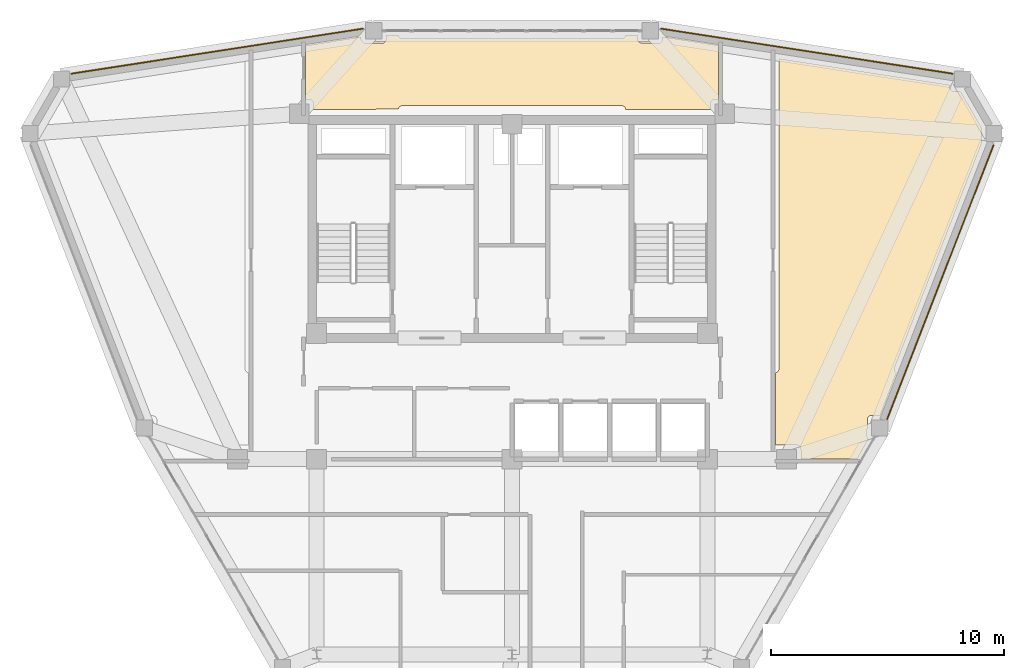
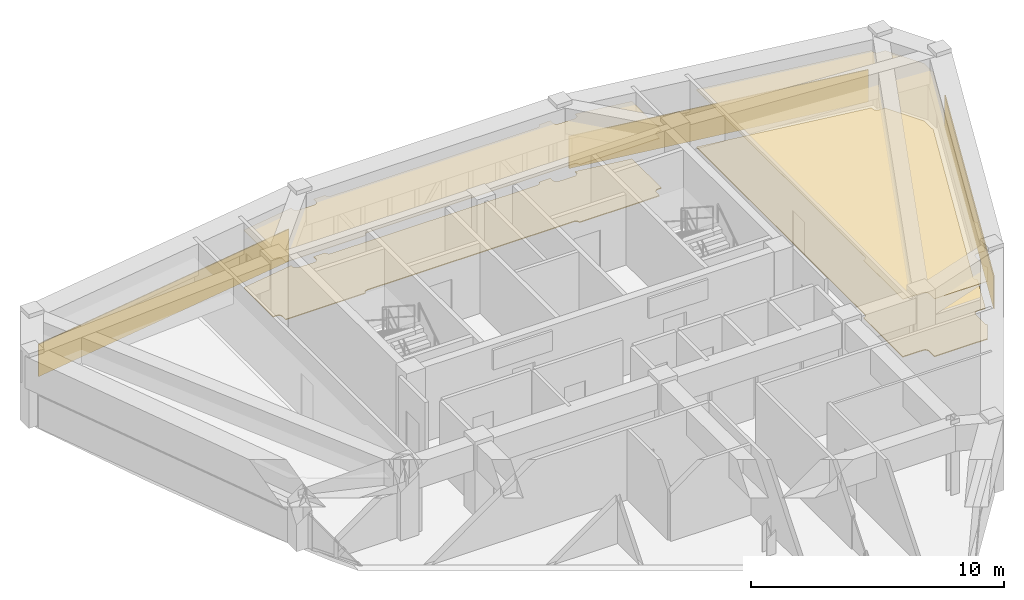
# One storey, part 14 of 14: 7 coverings.
"""IFC4 building model written with IfcOpenShell, lengths in metres."""

import ifcopenshell
import ifcopenshell.guid

model = None  # the IFC model being written
_history = None  # IfcOwnerHistory: only IFC2X3 demands one
_inside = {}  # id of a spatial element -> (the spatial element, [elements in it])
_under = {}  # id of a project, library or spatial element -> (it, [spatial elements below it])
_declared = {}  # id of a project -> (the project, [libraries it declares])
_typed = {}  # id of a type object -> (the type object, [elements of that type])
_made_of = {}  # id of a material, layer set ... -> (it, [elements and type objects made of it])


def new_model(schema):
    """Start an empty IFC model of exactly this schema.

    Asked for "IFC4X3", IfcOpenShell would pick the latest addendum, in which some entities
    have other attributes; the version numbers below select the first issue.
    IFC2X3 requires an IfcOwnerHistory on every rooted entity: one is made here for all.
    """
    global model, _history
    if schema == "IFC4X3":
        model = ifcopenshell.file(schema_version=(4, 3, 0, 0))
    else:
        model = ifcopenshell.file(schema=schema)
    _inside.clear()
    _under.clear()
    _declared.clear()
    _typed.clear()
    _made_of.clear()
    _history = None
    if model.schema == "IFC2X3":
        org = make("IfcOrganization", Name="unknown")
        user = make(
            "IfcPersonAndOrganization",
            ThePerson=make("IfcPerson", FamilyName="unknown"),
            TheOrganization=org,
        )
        app = make(
            "IfcApplication",
            ApplicationDeveloper=org,
            Version="unknown",
            ApplicationFullName="unknown",
            ApplicationIdentifier="unknown",
        )
        _history = make(
            "IfcOwnerHistory",
            OwningUser=user,
            OwningApplication=app,
            ChangeAction="ADDED",
            CreationDate=0,
        )
    return model


def make(cls, **values):
    """One entity of the class cls with the attributes given. An attribute that is None is left unset."""
    return model.create_entity(
        cls, **{name: value for name, value in values.items() if value is not None}
    )


def rooted(cls, **values):
    """An entity with a GlobalId (a new one), such as an element, a storey or a relation."""
    return make(cls, GlobalId=ifcopenshell.guid.new(), OwnerHistory=_history, **values)


def si_unit(unit_type, name, prefix=None):
    """IfcSIUnit, for example si_unit("LENGTHUNIT", "METRE", prefix="MILLI")."""
    return make("IfcSIUnit", UnitType=unit_type, Prefix=prefix, Name=name)


def derived_unit(unit_type, elements):
    """IfcDerivedUnit: a product of units, each with its exponent."""
    return make(
        "IfcDerivedUnit",
        Elements=[
            make("IfcDerivedUnitElement", Unit=unit, Exponent=power)
            for unit, power in elements
        ],
        UnitType=unit_type,
    )


def assignment(units):
    """IfcUnitAssignment: the units of a project."""
    return None if units is None else make("IfcUnitAssignment", Units=units)


def point(xyz):
    """IfcCartesianPoint."""
    return None if xyz is None else make("IfcCartesianPoint", Coordinates=xyz)


def direction(xyz):
    """IfcDirection."""
    return None if xyz is None else make("IfcDirection", DirectionRatios=xyz)


def frame(location, z_axis=None, x_axis=None):
    """IfcAxis2Placement3D, a coordinate frame: its origin and axes. An axis left out is left unset."""
    return make(
        "IfcAxis2Placement3D",
        Location=point(location),
        Axis=direction(z_axis),
        RefDirection=direction(x_axis),
    )


def origin():
    """The frame at (0, 0, 0) with its axes left unset."""
    return frame((0.0, 0.0, 0.0))


def place(relative_to, where):
    """IfcLocalPlacement: puts the frame where relative to a parent placement (None: the world)."""
    return make(
        "IfcLocalPlacement", PlacementRelTo=relative_to, RelativePlacement=where
    )


def context(
    kind, dimensions, precision=None, world=None, true_north=None, identifier=None
):
    """IfcGeometricRepresentationContext, for example the 3D "Model" context."""
    return make(
        "IfcGeometricRepresentationContext",
        ContextIdentifier=identifier,
        ContextType=kind,
        CoordinateSpaceDimension=dimensions,
        Precision=precision,
        WorldCoordinateSystem=world,
        TrueNorth=true_north,
    )


def subcontext(parent, identifier, kind, view, scale=None):
    """IfcGeometricRepresentationSubContext, for example "Body" below "Model"."""
    return make(
        "IfcGeometricRepresentationSubContext",
        ContextIdentifier=identifier,
        ContextType=kind,
        ParentContext=parent,
        TargetScale=scale,
        TargetView=view,
    )


def project(units=None, contexts=None):
    """IfcProject with its units and contexts."""
    return rooted(
        "IfcProject",
        Name="project",
        RepresentationContexts=contexts,
        UnitsInContext=assignment(units),
    )


def spatial(cls, under=None, at=None, **own):
    """A site, building, storey or space (cls), placed at a placement, below another one or the project."""
    s = rooted(cls, ObjectPlacement=at, **own)
    if under is not None:
        _under.setdefault(under.id(), (under, []))[1].append(s)
    return s


def polyline(points):
    """IfcPolyline through the points."""
    return make("IfcPolyline", Points=[point(p) for p in points])


def outline(outer, holes=None, kind="AREA"):
    """IfcArbitraryClosedProfileDef: a profile drawn as a closed curve; with holes, ...WithVoids."""
    if holes is None:
        return make("IfcArbitraryClosedProfileDef", ProfileType=kind, OuterCurve=outer)
    return make(
        "IfcArbitraryProfileDefWithVoids",
        ProfileType=kind,
        OuterCurve=outer,
        InnerCurves=holes,
    )


def extrude(swept, where, along, depth):
    """IfcExtrudedAreaSolid: the profile swept, set in the frame where, extruded along a direction by depth."""
    return make(
        "IfcExtrudedAreaSolid",
        SweptArea=swept,
        Position=where,
        ExtrudedDirection=direction(along),
        Depth=depth,
    )


def shape(context_of_items, identifier, shape_type, items):
    """IfcShapeRepresentation: the items that make up one representation, for example the "Body"."""
    return make(
        "IfcShapeRepresentation",
        ContextOfItems=context_of_items,
        RepresentationIdentifier=identifier,
        RepresentationType=shape_type,
        Items=items,
    )


def material(Name=None, Category=None):
    """IfcMaterial."""
    return make("IfcMaterial", Name=Name, Category=Category)


def layer(
    of_material, thickness, ventilated=None, Name=None, Category=None, Priority=None
):
    """IfcMaterialLayer: one layer of a wall or slab, of a material (None: an air gap)."""
    return make(
        "IfcMaterialLayer",
        Material=of_material,
        LayerThickness=thickness,
        IsVentilated=ventilated,
        Name=Name,
        Category=Category,
        Priority=Priority,
    )


def layer_set(layers, Name=None):
    """IfcMaterialLayerSet."""
    return make("IfcMaterialLayerSet", MaterialLayers=layers, LayerSetName=Name)


def made_of(thing, what):
    """Note that an element or type object is made of a material, layer set ...; save() writes the relation."""
    if what is not None:
        _made_of.setdefault(what.id(), (what, []))[1].append(thing)
    return thing


def type_object(cls, material=None, **own):
    """A type object (cls), such as IfcWallType, which elements share."""
    return made_of(rooted(cls, **own), material)


def element(
    cls,
    number,
    at=None,
    inside=None,
    cuts=None,
    type_object=None,
    material=None,
    context=None,
    identifier="Body",
    shape_type=None,
    held_by="IfcProductDefinitionShape",
    body=None,
    shapes=None,
    **own,
):
    """One element of the class cls, such as IfcWall. Its Tag is "e" and its number.

    at: its placement. inside: the storey or other place that contains it. cuts: it is an
    opening in that element (IfcRelVoidsElement). A single representation is given by context,
    identifier, shape_type and body (its items); several are given by shapes. held_by: the class
    of the entity that holds the representations. save() writes the other relations.
    """
    e = rooted(cls, Tag="e%d" % number, ObjectPlacement=at, **own)
    if body is not None:
        shapes = [shape(context, identifier, shape_type, body)]
    if shapes is not None:
        e.Representation = make(held_by, Representations=shapes)
    if inside is not None:
        _inside.setdefault(inside.id(), (inside, []))[1].append(e)
    if cuts is not None:
        rooted(
            "IfcRelVoidsElement", RelatingBuildingElement=cuts, RelatedOpeningElement=e
        )
    if type_object is not None:
        _typed.setdefault(type_object.id(), (type_object, []))[1].append(e)
    return made_of(e, material)


def aggregate(whole, parts):
    """IfcRelAggregates: a whole, such as a stair, and the parts it consists of."""
    return rooted("IfcRelAggregates", RelatingObject=whole, RelatedObjects=parts)


def save(model, path):
    """Write the relations noted so far, then the file.

    IfcRelAggregates (storeys below a building ...), IfcRelContainedInSpatialStructure (elements
    in a storey), IfcRelDefinesByType, IfcRelAssociatesMaterial and IfcRelDeclares: one each for
    every whole, place, type object, material and project.
    """
    for whole, parts in _under.values():
        aggregate(whole, parts)
    for where, things in _inside.values():
        rooted(
            "IfcRelContainedInSpatialStructure",
            RelatedElements=things,
            RelatingStructure=where,
        )
    for kind, things in _typed.values():
        rooted("IfcRelDefinesByType", RelatedObjects=things, RelatingType=kind)
    for what, things in _made_of.values():
        rooted("IfcRelAssociatesMaterial", RelatedObjects=things, RelatingMaterial=what)
    for by, libraries in _declared.values():
        rooted("IfcRelDeclares", RelatingContext=by, RelatedDefinitions=libraries)
    model.write(path)


model = new_model("IFC4")

# Units and contexts
model_context = context("Model", 3, precision=1e-05, world=origin(), true_north=direction((0.0, 1.0)))
body_context = subcontext(model_context, "Body", "Model", "MODEL_VIEW")
ifc_project = project(units=[si_unit("LENGTHUNIT", "METRE"), si_unit("AREAUNIT", "SQUARE_METRE"), si_unit("VOLUMEUNIT", "CUBIC_METRE"), si_unit("PLANEANGLEUNIT", "RADIAN"), si_unit("MASSUNIT", "GRAM", prefix="KILO"), derived_unit("THERMALTRANSMITTANCEUNIT", [(si_unit("POWERUNIT", "WATT"), 1), (si_unit("LENGTHUNIT", "METRE"), -2), (si_unit("THERMODYNAMICTEMPERATUREUNIT", "KELVIN"), -1)])], contexts=[model_context])

# Site, building, storey
site_placement = place(None, origin())
site = spatial("IfcSite", under=ifc_project, at=site_placement, CompositionType="ELEMENT")
building_placement = place(site_placement, origin())
building = spatial("IfcBuilding", under=site, at=building_placement, Name="Korsvarv Bourse and Concert Hall", CompositionType="ELEMENT")
storey_placement = place(building_placement, frame((0.0, 0.0, 257.39990234375)))
storey = spatial("IfcBuildingStorey", under=building, at=storey_placement, Name="L67", CompositionType="ELEMENT", Elevation=257.39990234375)

# Coverings
ifc_material_1 = material(Name="Perforated mineral-wool and birch acoustic baffle ceiling", Category="wood")
ifc_layer_1 = layer(ifc_material_1, 0.02490234375)
ifc_layer_set_1 = layer_set([ifc_layer_1], Name="Perforated mineral-wool and birch acoustic baffle ceiling")
covering_type_1 = type_object("IfcCoveringType", Name="COV-CEIL-1", PredefinedType="CEILING", material=ifc_layer_set_1)
covering_1_placement = place(storey_placement, frame((0.0, 0.0, 2.7900390625)))
element("IfcCovering", 1, at=covering_1_placement, inside=storey, type_object=covering_type_1, Name="L67 acoustic baffle ceiling 2", PredefinedType="CEILING", context=body_context, shape_type="SweptSolid", body=[
    extrude(outline(polyline([(47.320068359375, 36.111328125), (47.34521484375, 36.11572265625), (47.37939453125, 36.12841796875), (47.41015625, 36.147705078125), (47.4365234375, 36.1728515625), (47.45751953125, 36.20263671875), (47.4716796875, 36.236083984375), (47.47900390625, 36.271728515625), (47.47998046875, 49.623779296875), (54.82861328125, 48.48828125), (54.82861328125, 48.39892578125), (54.831787109375, 48.364501953125), (54.841796875, 48.331298828125), (54.85791015625, 48.300537109375), (54.879638671875, 48.2734375), (54.906005859375, 48.2509765625), (54.936279296875, 48.234130859375), (54.969482421875, 48.223388671875), (55.00390625, 48.218994140625), (55.2861328125, 48.211669921875), (56.185302734375, 46.654296875), (56.185302734375, 46.049072265625), (56.188720703125, 46.01416015625), (56.198486328125, 45.981689453125), (52.456787109375, 36.343994140625), (52.447265625, 36.30908203125), (52.44482421875, 36.272705078125), (52.44970703125, 36.23681640625), (52.4619140625, 36.202392578125), (52.480712890625, 36.171142578125), (52.505126953125, 36.144287109375), (52.53466796875, 36.123046875), (51.826416015625, 34.27783203125), (51.459716796875, 34.27783203125), (51.4248046875, 34.2744140625), (51.391357421875, 34.264404296875), (51.360595703125, 34.248046875), (51.333251953125, 34.22607421875), (51.310791015625, 34.19921875), (51.294189453125, 34.16845703125), (51.28369140625, 34.135009765625), (51.27978515625, 34.100341796875), (51.269775390625, 33.390380859375), (51.27294921875, 33.35400390625), (51.283203125, 33.319091796875), (51.300537109375, 33.287109375), (51.32373046875, 33.25927734375), (50.826416015625, 32.394775390625), (50.801513671875, 32.402099609375), (50.76611328125, 32.405517578125), (48.4150390625, 32.40966796875), (48.4150390625, 32.824951171875), (48.41162109375, 32.85986328125), (48.401611328125, 32.893310546875), (48.385009765625, 32.92431640625), (48.363037109375, 32.951416015625), (48.336181640625, 32.973876953125), (48.305419921875, 32.99072265625), (48.27197265625, 33.001220703125), (48.237060546875, 33.0048828125), (47.377197265625, 33.014892578125), (47.342041015625, 33.011962890625), (47.320068359375, 33.006103515625), (47.320068359375, 36.111328125)])), origin(), (0.0, 0.0, 1.0), 0.025146484375),
])
covering_2_placement = place(storey_placement, frame((0.0, 0.0, 2.7900390625)))
element("IfcCovering", 2, at=covering_2_placement, inside=storey, type_object=covering_type_1, Name="L67 acoustic baffle ceiling 3", PredefinedType="CEILING", context=body_context, shape_type="SweptSolid", body=[
    extrude(outline(polyline([(29.514404296875, 50.55712890625), (29.514404296875, 50.47265625), (29.517578125, 50.43798828125), (29.52783203125, 50.404296875), (29.544189453125, 50.37353515625), (29.566162109375, 50.34619140625), (29.593017578125, 50.323974609375), (29.623779296875, 50.30712890625), (29.656982421875, 50.296630859375), (29.69189453125, 50.292724609375), (30.40185546875, 50.28271484375), (30.4365234375, 50.28564453125), (30.47021484375, 50.295166015625), (30.50146484375, 50.31103515625), (30.52880859375, 50.332763671875), (30.5517578125, 50.359375), (30.56884765625, 50.389892578125), (30.579833984375, 50.423095703125), (30.584228515625, 50.457763671875), (30.58935546875, 50.642578125), (31.111328125, 50.642578125), (31.11572265625, 50.617431640625), (31.12841796875, 50.58349609375), (31.147705078125, 50.552490234375), (31.1728515625, 50.526123046875), (31.20263671875, 50.50537109375), (31.236083984375, 50.490966796875), (31.271728515625, 50.483642578125), (40.7099609375, 50.482666015625), (40.74609375, 50.486328125), (40.781005859375, 50.497314453125), (40.812744140625, 50.514892578125), (40.84033203125, 50.538818359375), (40.86279296875, 50.5673828125), (40.87890625, 50.60009765625), (40.887939453125, 50.635498046875), (41.40576171875, 50.642578125), (41.40576171875, 50.47265625), (41.4091796875, 50.43798828125), (41.419189453125, 50.404296875), (41.435546875, 50.37353515625), (41.45751953125, 50.34619140625), (41.484375, 50.323974609375), (41.51513671875, 50.30712890625), (41.54833984375, 50.296630859375), (41.583251953125, 50.292724609375), (42.293212890625, 50.28271484375), (42.327880859375, 50.28564453125), (42.361328125, 50.295166015625), (42.392578125, 50.31103515625), (42.419921875, 50.33251953125), (42.442626953125, 50.35888671875), (42.4599609375, 50.38916015625), (42.47119140625, 50.422119140625), (42.4755859375, 50.456787109375), (42.47900390625, 50.55810546875), (44.87060546875, 50.188720703125), (44.8701171875, 47.864990234375), (44.72509765625, 47.864990234375), (44.6904296875, 47.861572265625), (44.656982421875, 47.851806640625), (44.626220703125, 47.83544921875), (44.59912109375, 47.813720703125), (44.576904296875, 47.787109375), (44.559814453125, 47.7568359375), (44.54931640625, 47.7236328125), (44.544921875, 47.689208984375), (44.539306640625, 47.43994140625), (40.888671875, 47.43994140625), (40.88427734375, 47.465087890625), (40.87158203125, 47.499267578125), (40.852294921875, 47.5302734375), (40.8271484375, 47.556640625), (40.79736328125, 47.577392578125), (40.763916015625, 47.591796875), (40.728271484375, 47.59912109375), (31.2900390625, 47.60009765625), (31.25390625, 47.59619140625), (31.218994140625, 47.58544921875), (31.187255859375, 47.567626953125), (31.15966796875, 47.5439453125), (31.13720703125, 47.51513671875), (31.12109375, 47.482421875), (31.112060546875, 47.447265625), (27.465087890625, 47.43994140625), (27.465087890625, 47.675048828125), (27.461669921875, 47.70947265625), (27.451904296875, 47.74267578125), (27.435791015625, 47.773193359375), (27.414306640625, 47.80029296875), (27.3876953125, 47.82275390625), (27.357666015625, 47.839599609375), (27.32470703125, 47.8505859375), (27.290283203125, 47.85498046875), (27.1298828125, 47.859619140625), (27.1298828125, 50.178955078125), (29.514404296875, 50.55712890625)])), origin(), (0.0, 0.0, 1.0), 0.025146484375),
])
ifc_material_2 = material(Name="Warm iron-oxide extruded terracotta rainscreen tile", Category="ceramic")
ifc_layer_2 = layer(ifc_material_2, 0.044921875)
ifc_layer_set_2 = layer_set([ifc_layer_2], Name="Warm iron-oxide extruded terracotta rainscreen tile")
covering_type_2 = type_object("IfcCoveringType", Name="COV-CLD-TC", PredefinedType="CLADDING", material=ifc_layer_set_2)
covering_3_placement = place(storey_placement, origin())
element("IfcCovering", 3, at=covering_3_placement, inside=storey, type_object=covering_type_2, Name="L67 fluted terracotta cladding panel EW-L67-B02", PredefinedType="CLADDING", context=body_context, shape_type="SweptSolid", body=[
    extrude(outline(polyline([(54.955078125, 48.949462890625), (42.400390625, 50.88916015625), (42.4072265625, 50.93359375), (54.9619140625, 48.993896484375), (54.955078125, 48.949462890625)])), origin(), (0.0, 0.0, 1.0), 1.56005859375),
])
covering_4_placement = place(storey_placement, origin())
element("IfcCovering", 4, at=covering_4_placement, inside=storey, type_object=covering_type_2, Name="L67 fluted terracotta cladding panel EW-L67-B04", PredefinedType="CLADDING", context=body_context, shape_type="SweptSolid", body=[
    extrude(outline(polyline([(29.599609375, 50.88916015625), (17.044921875, 48.949462890625), (17.0380859375, 48.993896484375), (29.5927734375, 50.93359375), (29.599609375, 50.88916015625)])), origin(), (0.0, 0.0, 1.0), 1.56005859375),
])
covering_5_placement = place(storey_placement, origin())
element("IfcCovering", 5, at=covering_5_placement, inside=storey, type_object=covering_type_2, Name="L67 fluted terracotta cladding panel EW-L67-B12", PredefinedType="CLADDING", context=body_context, shape_type="SweptSolid", body=[
    extrude(outline(polyline([(52.102294921875, 34.118408203125), (56.684326171875, 45.920654296875), (56.726318359375, 45.904296875), (52.144287109375, 34.102294921875), (52.102294921875, 34.118408203125)])), origin(), (0.0, 0.0, 1.0), 1.56005859375),
])
ifc_material_3 = material(Name="Calcium-sulphate raised access trading floor with Nordic oak top", Category="wood")
ifc_layer_3 = layer(ifc_material_3, 0.0400390625)
ifc_layer_set_3 = layer_set([ifc_layer_3], Name="Calcium-sulphate raised access trading floor with Nordic oak top")
covering_type_3 = type_object("IfcCoveringType", Name="COV-FLOR-1", PredefinedType="FLOORING", material=ifc_layer_set_3)
covering_6_placement = place(storey_placement, origin())
element("IfcCovering", 6, at=covering_6_placement, inside=storey, type_object=covering_type_3, Name="L67 raised access oak floor finish 2", PredefinedType="FLOORING", context=body_context, shape_type="SweptSolid", body=[
    extrude(outline(polyline([(47.320068359375, 36.111328125), (47.34521484375, 36.11572265625), (47.37939453125, 36.12841796875), (47.41015625, 36.147705078125), (47.4365234375, 36.1728515625), (47.45751953125, 36.20263671875), (47.4716796875, 36.236083984375), (47.47900390625, 36.271728515625), (47.47998046875, 49.623779296875), (54.82861328125, 48.48828125), (54.82861328125, 48.39892578125), (54.831787109375, 48.364501953125), (54.841796875, 48.331298828125), (54.85791015625, 48.300537109375), (54.879638671875, 48.2734375), (54.906005859375, 48.2509765625), (54.936279296875, 48.234130859375), (54.969482421875, 48.223388671875), (55.00390625, 48.218994140625), (55.2861328125, 48.211669921875), (56.185302734375, 46.654296875), (56.185302734375, 46.049072265625), (56.188720703125, 46.01416015625), (56.198486328125, 45.981689453125), (52.456787109375, 36.343994140625), (52.447265625, 36.30908203125), (52.44482421875, 36.272705078125), (52.44970703125, 36.23681640625), (52.4619140625, 36.202392578125), (52.480712890625, 36.171142578125), (52.505126953125, 36.144287109375), (52.53466796875, 36.123046875), (51.826416015625, 34.27783203125), (51.459716796875, 34.27783203125), (51.4248046875, 34.2744140625), (51.391357421875, 34.264404296875), (51.360595703125, 34.248046875), (51.333251953125, 34.22607421875), (51.310791015625, 34.19921875), (51.294189453125, 34.16845703125), (51.28369140625, 34.135009765625), (51.27978515625, 34.100341796875), (51.269775390625, 33.390380859375), (51.27294921875, 33.35400390625), (51.283203125, 33.319091796875), (51.300537109375, 33.287109375), (51.32373046875, 33.25927734375), (50.826416015625, 32.394775390625), (50.801513671875, 32.402099609375), (50.76611328125, 32.405517578125), (48.4150390625, 32.40966796875), (48.4150390625, 32.824951171875), (48.41162109375, 32.85986328125), (48.401611328125, 32.893310546875), (48.385009765625, 32.92431640625), (48.363037109375, 32.951416015625), (48.336181640625, 32.973876953125), (48.305419921875, 32.99072265625), (48.27197265625, 33.001220703125), (48.237060546875, 33.0048828125), (47.377197265625, 33.014892578125), (47.342041015625, 33.011962890625), (47.320068359375, 33.006103515625), (47.320068359375, 36.111328125)])), origin(), (0.0, 0.0, 1.0), 0.0400390625),
])
covering_7_placement = place(storey_placement, origin())
element("IfcCovering", 7, at=covering_7_placement, inside=storey, type_object=covering_type_3, Name="L67 raised access oak floor finish 3", PredefinedType="FLOORING", context=body_context, shape_type="SweptSolid", body=[
    extrude(outline(polyline([(29.514404296875, 50.55712890625), (29.514404296875, 50.47265625), (29.517578125, 50.43798828125), (29.52783203125, 50.404296875), (29.544189453125, 50.37353515625), (29.566162109375, 50.34619140625), (29.593017578125, 50.323974609375), (29.623779296875, 50.30712890625), (29.656982421875, 50.296630859375), (29.69189453125, 50.292724609375), (30.40185546875, 50.28271484375), (30.4365234375, 50.28564453125), (30.47021484375, 50.295166015625), (30.50146484375, 50.31103515625), (30.52880859375, 50.332763671875), (30.5517578125, 50.359375), (30.56884765625, 50.389892578125), (30.579833984375, 50.423095703125), (30.584228515625, 50.457763671875), (30.58935546875, 50.642578125), (31.111328125, 50.642578125), (31.11572265625, 50.617431640625), (31.12841796875, 50.58349609375), (31.147705078125, 50.552490234375), (31.1728515625, 50.526123046875), (31.20263671875, 50.50537109375), (31.236083984375, 50.490966796875), (31.271728515625, 50.483642578125), (40.7099609375, 50.482666015625), (40.74609375, 50.486328125), (40.781005859375, 50.497314453125), (40.812744140625, 50.514892578125), (40.84033203125, 50.538818359375), (40.86279296875, 50.5673828125), (40.87890625, 50.60009765625), (40.887939453125, 50.635498046875), (41.40576171875, 50.642578125), (41.40576171875, 50.47265625), (41.4091796875, 50.43798828125), (41.419189453125, 50.404296875), (41.435546875, 50.37353515625), (41.45751953125, 50.34619140625), (41.484375, 50.323974609375), (41.51513671875, 50.30712890625), (41.54833984375, 50.296630859375), (41.583251953125, 50.292724609375), (42.293212890625, 50.28271484375), (42.327880859375, 50.28564453125), (42.361328125, 50.295166015625), (42.392578125, 50.31103515625), (42.419921875, 50.33251953125), (42.442626953125, 50.35888671875), (42.4599609375, 50.38916015625), (42.47119140625, 50.422119140625), (42.4755859375, 50.456787109375), (42.47900390625, 50.55810546875), (44.87060546875, 50.188720703125), (44.8701171875, 47.864990234375), (44.72509765625, 47.864990234375), (44.6904296875, 47.861572265625), (44.656982421875, 47.851806640625), (44.626220703125, 47.83544921875), (44.59912109375, 47.813720703125), (44.576904296875, 47.787109375), (44.559814453125, 47.7568359375), (44.54931640625, 47.7236328125), (44.544921875, 47.689208984375), (44.539306640625, 47.43994140625), (40.888671875, 47.43994140625), (40.88427734375, 47.465087890625), (40.87158203125, 47.499267578125), (40.852294921875, 47.5302734375), (40.8271484375, 47.556640625), (40.79736328125, 47.577392578125), (40.763916015625, 47.591796875), (40.728271484375, 47.59912109375), (31.2900390625, 47.60009765625), (31.25390625, 47.59619140625), (31.218994140625, 47.58544921875), (31.187255859375, 47.567626953125), (31.15966796875, 47.5439453125), (31.13720703125, 47.51513671875), (31.12109375, 47.482421875), (31.112060546875, 47.447265625), (27.465087890625, 47.43994140625), (27.465087890625, 47.675048828125), (27.461669921875, 47.70947265625), (27.451904296875, 47.74267578125), (27.435791015625, 47.773193359375), (27.414306640625, 47.80029296875), (27.3876953125, 47.82275390625), (27.357666015625, 47.839599609375), (27.32470703125, 47.8505859375), (27.290283203125, 47.85498046875), (27.1298828125, 47.859619140625), (27.1298828125, 50.178955078125), (29.514404296875, 50.55712890625)])), origin(), (0.0, 0.0, 1.0), 0.0400390625),
])

save(model, "model.ifc")
